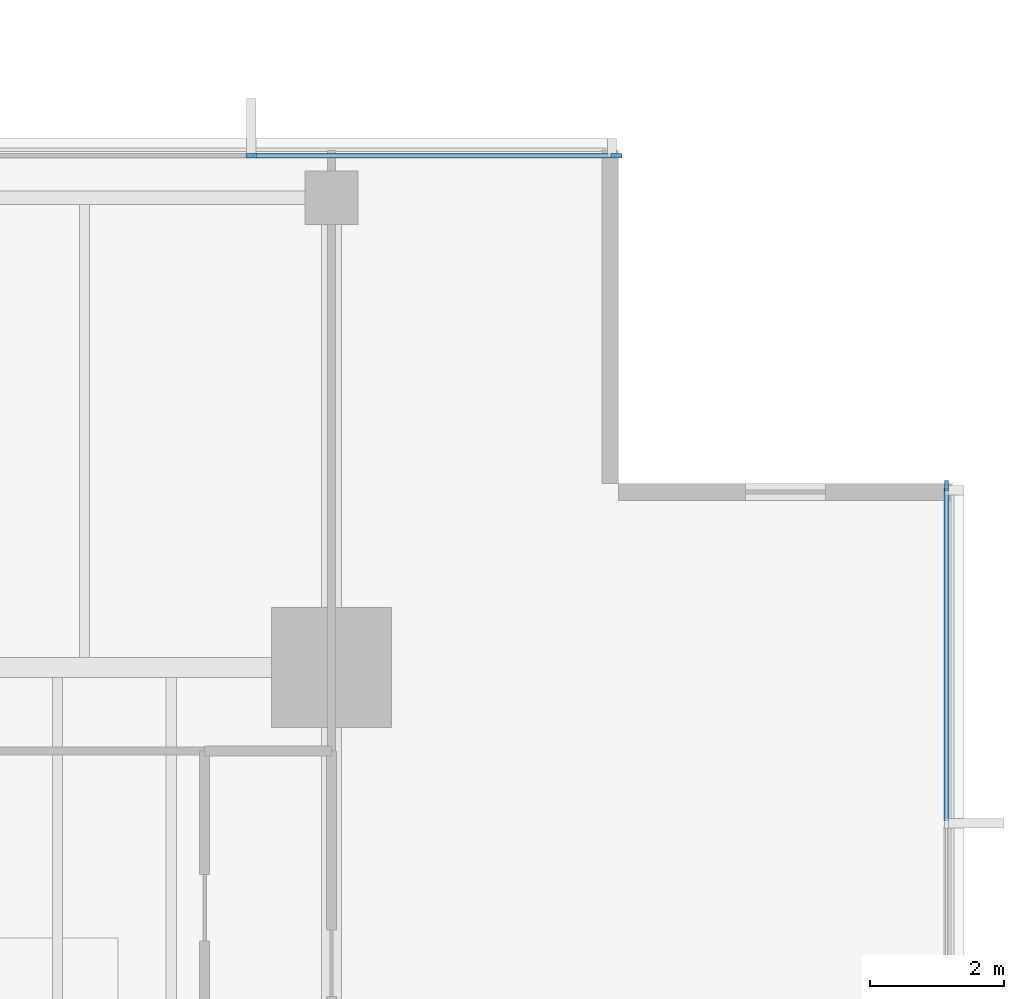
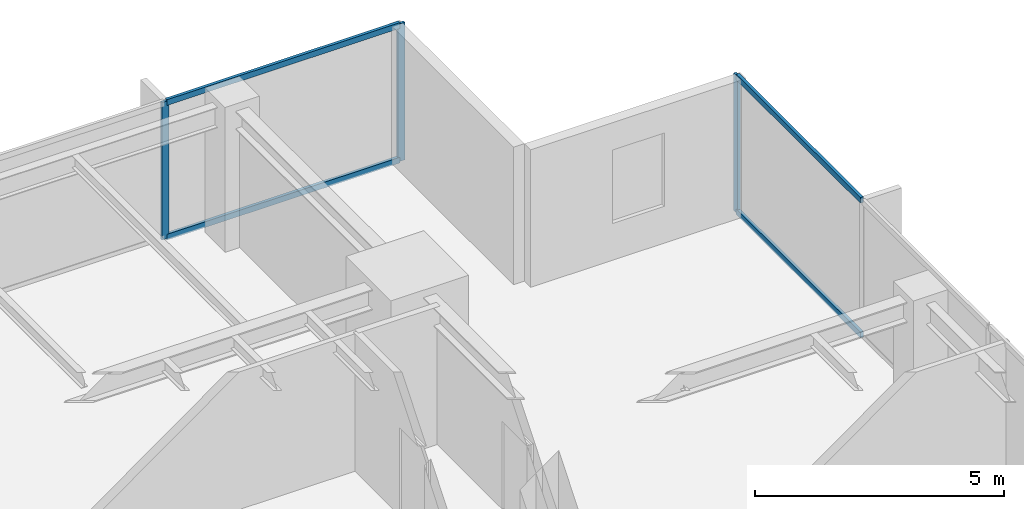
# One storey, part 6 of 14: 7 members, 2 elements without a shape of their own.
"""IFC4 building model written with IfcOpenShell, lengths in metres."""

from ifc_helpers import new_model, si_unit, direction, frame, origin, origin_2d, place, context, subcontext, project, spatial, rectangle, extrude, material, layer, layer_set, material_profile, profile_set, type_object, element, aggregate, save


model = new_model("IFC4")

# Units and contexts
model_context = context("Model", 3, precision=1e-05, world=origin(), true_north=direction((0.0, 1.0)))
body_context = subcontext(model_context, "Body", "Model", "MODEL_VIEW")
ifc_project = project(units=[si_unit("LENGTHUNIT", "METRE"), si_unit("AREAUNIT", "SQUARE_METRE"), si_unit("VOLUMEUNIT", "CUBIC_METRE"), si_unit("PLANEANGLEUNIT", "RADIAN"), si_unit("MASSUNIT", "GRAM", prefix="KILO")], contexts=[model_context])

# Site, building, storey
site_placement = place(None, origin())
site = spatial("IfcSite", under=ifc_project, at=site_placement, CompositionType="ELEMENT")
building_placement = place(site_placement, origin())
building = spatial("IfcBuilding", under=site, at=building_placement, Name="Kinhvarn Gate Tower", CompositionType="ELEMENT")
storey_placement = place(building_placement, frame((0.0, 0.0, 202.25)))
storey = spatial("IfcBuildingStorey", under=building, at=storey_placement, Name="L53", CompositionType="ELEMENT", Elevation=202.25)

# Curtain wall, members
ifc_material = material(Name="Anodised aluminium AW-6063", Category="aluminium")
ifc_layer = layer(ifc_material, 0.179931640625)
ifc_layer_set = layer_set([ifc_layer], Name="Anodised aluminium AW-6063")
curtain_wall_type = type_object("IfcCurtainWallType", Name="CW-SYS-3", PredefinedType="NOTDEFINED", material=ifc_layer_set)
curtain_wall_1_placement = place(storey_placement, origin())
curtain_wall_1 = element("IfcCurtainWall", 1, at=curtain_wall_1_placement, inside=storey, type_object=curtain_wall_type, Name="Curtain Wall CW3 (L53)", PredefinedType="NOTDEFINED")
ifc_material_profile_1 = material_profile(ifc_material, rectangle(XDim=0.06494140625, YDim=0.159912109375, at=origin_2d()), Name="ALU 65x160")
ifc_profile_set_1 = profile_set([ifc_material_profile_1], Name="Anodised aluminium AW-6063")
member_type_1 = type_object("IfcMemberType", Name="CW-MUL-160", PredefinedType="MULLION", material=ifc_profile_set_1)
member_1_placement = place(storey_placement, frame((42.467529296875, 45.409912109375, 0.0), z_axis=(0.0, 0.0, 1.0), x_axis=(0.0, -1.0, 0.0)))
member_1 = element("IfcMember", 2, at=member_1_placement, type_object=member_type_1, Name="CW3 mullion 1", PredefinedType="MULLION", context=body_context, shape_type="SweptSolid", body=[
    extrude(rectangle(XDim=0.06494140625, YDim=0.159912109375, at=origin_2d()), origin(), (0.0, 0.0, 1.0), 3.3701171875),
])
member_2_placement = place(storey_placement, frame((37.0, 45.409912109375, 0.0), z_axis=(0.0, 0.0, 1.0), x_axis=(0.0, -1.0, 0.0)))
member_2 = element("IfcMember", 3, at=member_2_placement, type_object=member_type_1, Name="CW3 mullion 2", PredefinedType="MULLION", context=body_context, shape_type="SweptSolid", body=[
    extrude(rectangle(XDim=0.06494140625, YDim=0.159912109375, at=origin_2d()), origin(), (0.0, 0.0, 1.0), 3.3701171875),
])

# Curtain wall, member
curtain_wall_2_placement = place(storey_placement, origin())
curtain_wall_2 = element("IfcCurtainWall", 4, at=curtain_wall_2_placement, inside=storey, type_object=curtain_wall_type, Name="Curtain Wall CW3 (L53)", PredefinedType="NOTDEFINED")
member_3_placement = place(storey_placement, frame((47.409912109375, 40.467529296875, 0.0), z_axis=(0.0, 0.0, 1.0), x_axis=(-1.0, 0.0, 0.0)))
member_3 = element("IfcMember", 5, at=member_3_placement, type_object=member_type_1, Name="CW3 mullion 7", PredefinedType="MULLION", context=body_context, shape_type="SweptSolid", body=[
    extrude(rectangle(XDim=0.06494140625, YDim=0.159912109375, at=origin_2d()), origin(), (0.0, 0.0, 1.0), 3.3701171875),
])

# Member
ifc_material_profile_2 = material_profile(ifc_material, rectangle(XDim=0.070068359375, YDim=0.139892578125, at=origin_2d()), Name="ALU 70x140")
ifc_profile_set_2 = profile_set([ifc_material_profile_2], Name="Anodised aluminium AW-6063")
member_type_2 = type_object("IfcMemberType", Name="CW-TRN-140", PredefinedType="USERDEFINED", material=ifc_profile_set_2)
member_4_placement = place(storey_placement, frame((42.43505859375, 45.409912109375, 0.034912109375), z_axis=(-1.0, 0.0, 0.0), x_axis=(0.0, -1.0, 0.0)))
member_4 = element("IfcMember", 6, at=member_4_placement, type_object=member_type_2, Name="CW3 transom 1.1", ObjectType="TRANSOM", PredefinedType="USERDEFINED", context=body_context, shape_type="SweptSolid", body=[
    extrude(rectangle(XDim=0.070068359375, YDim=0.139892578125, at=origin_2d()), origin(), (0.0, 0.0, 1.0), 5.402587890625),
])

member_5_placement = place(storey_placement, frame((42.43505859375, 45.409912109375, 3.3349609375), z_axis=(-1.0, 0.0, 0.0), x_axis=(0.0, -1.0, 0.0)))
member_5 = element("IfcMember", 7, at=member_5_placement, type_object=member_type_2, Name="CW3 transom 1.2", ObjectType="TRANSOM", PredefinedType="USERDEFINED", context=body_context, shape_type="SweptSolid", body=[
    extrude(rectangle(XDim=0.070068359375, YDim=0.139892578125, at=origin_2d()), origin(), (0.0, 0.0, 1.0), 5.402587890625),
])

aggregate(curtain_wall_1, [member_1, member_2, member_4, member_5])

member_6_placement = place(storey_placement, frame((47.409912109375, 35.44921875, 0.034912109375), z_axis=(0.0, 1.0, 0.0), x_axis=(-1.0, 0.0, 0.0)))
member_6 = element("IfcMember", 8, at=member_6_placement, type_object=member_type_2, Name="CW3 transom 6.1", ObjectType="TRANSOM", PredefinedType="USERDEFINED", context=body_context, shape_type="SweptSolid", body=[
    extrude(rectangle(XDim=0.070068359375, YDim=0.139892578125, at=origin_2d()), origin(), (0.0, 0.0, 1.0), 4.98583984375),
])

member_7_placement = place(storey_placement, frame((47.409912109375, 35.44921875, 3.3349609375), z_axis=(0.0, 1.0, 0.0), x_axis=(-1.0, 0.0, 0.0)))
member_7 = element("IfcMember", 9, at=member_7_placement, type_object=member_type_2, Name="CW3 transom 6.2", ObjectType="TRANSOM", PredefinedType="USERDEFINED", context=body_context, shape_type="SweptSolid", body=[
    extrude(rectangle(XDim=0.070068359375, YDim=0.139892578125, at=origin_2d()), origin(), (0.0, 0.0, 1.0), 4.98583984375),
])

aggregate(curtain_wall_2, [member_3, member_6, member_7])

save(model, "model.ifc")
